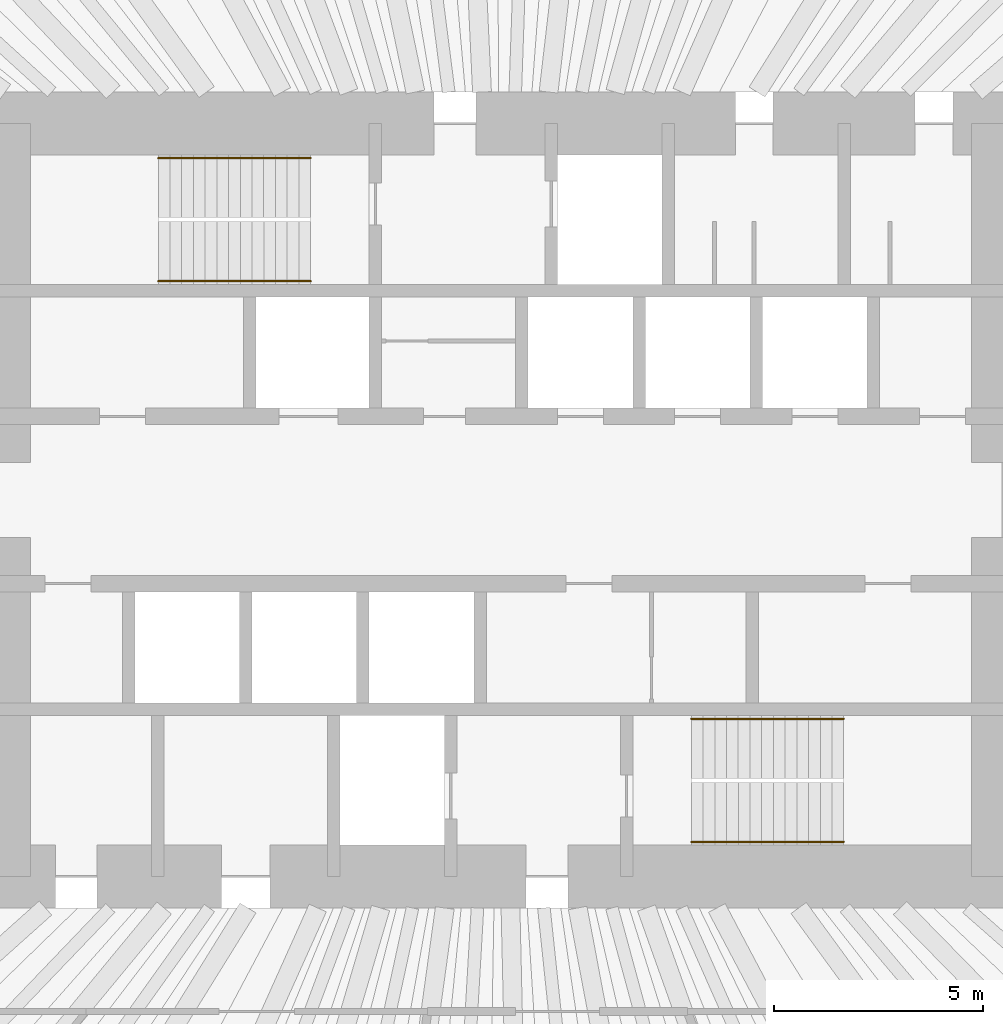
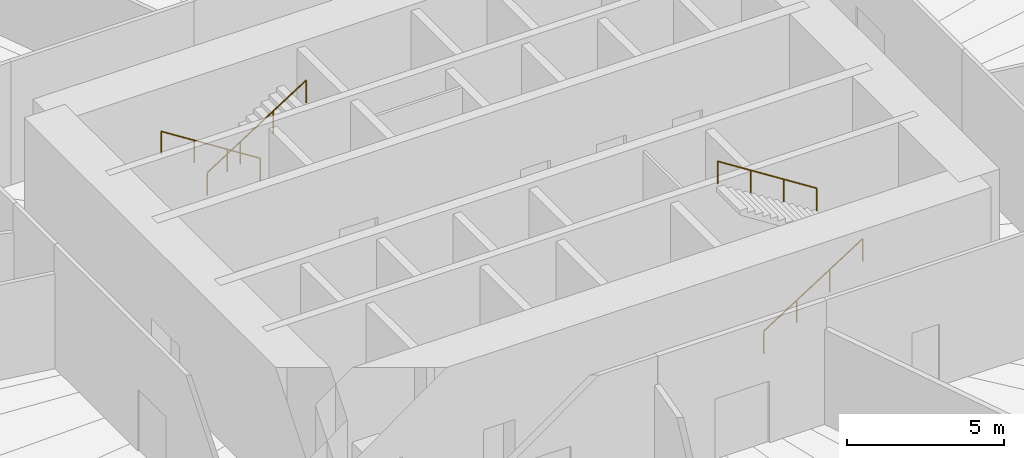
# One storey, part 13 of 13: 4 railings.
"""IFC4 building model written with IfcOpenShell, lengths in metres."""

from ifc_helpers import new_model, si_unit, direction, frame, origin, origin_2d, place, context, subcontext, project, spatial, circle, extrude, material, type_object, element, save


model = new_model("IFC4")

# Units and contexts
model_context = context("Model", 3, precision=1e-05, world=origin(), true_north=direction((0.0, 1.0)))
body_context = subcontext(model_context, "Body", "Model", "MODEL_VIEW")
ifc_project = project(units=[si_unit("LENGTHUNIT", "METRE"), si_unit("AREAUNIT", "SQUARE_METRE"), si_unit("VOLUMEUNIT", "CUBIC_METRE"), si_unit("PLANEANGLEUNIT", "RADIAN"), si_unit("MASSUNIT", "GRAM", prefix="KILO")], contexts=[model_context])

# Site, building, storey
site_placement = place(None, origin())
site = spatial("IfcSite", under=ifc_project, at=site_placement, CompositionType="ELEMENT")
building_placement = place(site_placement, origin())
building = spatial("IfcBuilding", under=site, at=building_placement, Name="Qingtian Harvest Tower", CompositionType="ELEMENT")
storey_placement = place(building_placement, frame((0.0, 0.0, 87.0)))
storey = spatial("IfcBuildingStorey", under=building, at=storey_placement, Name="L17", CompositionType="ELEMENT", Elevation=87.0)

# Railings
ifc_material = material(Name="Stainless steel handrail", Category="steel")
railing_type = type_object("IfcRailingType", Name="Handrail HR1", PredefinedType="HANDRAIL", material=ifc_material)
railing_1_placement = place(storey_placement, frame((-4.550048828125, 8.169921875, 0.178466796875)))
element("IfcRailing", 1, at=railing_1_placement, inside=storey, type_object=railing_type, Name="Handrail HR1 S1 flight 1", PredefinedType="HANDRAIL", context=body_context, shape_type="SweptSolid", body=[
    extrude(circle(Radius=0.02392578125, at=origin_2d()), frame((0.0, 0.0, 0.8759765625), z_axis=(-0.843111507901, 0.0, 0.53773877045), x_axis=(0.0, -1.0, 0.0)), (0.0, 0.0, 1.0), 4.317138671875),
    extrude(circle(Radius=0.02099609375, at=origin_2d()), origin(), (0.0, 0.0, 1.0), 0.851806640625),
    extrude(circle(Radius=0.02099609375, at=origin_2d()), frame((-1.21337890625, 0.0, 0.77392578125)), (0.0, 0.0, 1.0), 0.851806640625),
    extrude(circle(Radius=0.02099609375, at=origin_2d()), frame((-2.426513671875, 0.0, 1.547607421875)), (0.0, 0.0, 1.0), 0.851806640625),
    extrude(circle(Radius=0.02099609375, at=origin_2d()), frame((-3.639892578125, 0.0, 2.321533203125)), (0.0, 0.0, 1.0), 0.851806640625),
])
for number, where, name in (
    (2, (-8.18994140625, 5.22998046875, 2.678466796875), "Handrail HR1 S1 flight 2"),
    (3, (4.550048828125, -8.169921875, 0.178466796875), "Handrail HR1 S2 flight 1"),
):
    element("IfcRailing", number, at=place(storey_placement, frame(where)), inside=storey, type_object=railing_type, Name=name, PredefinedType="HANDRAIL", context=body_context, shape_type="SweptSolid", body=[
        extrude(circle(Radius=0.02392578125, at=origin_2d()), frame((0.0, 0.0, 0.8759765625), z_axis=(0.843111507901, 0.0, 0.53773877045), x_axis=(0.0, 1.0, 0.0)), (0.0, 0.0, 1.0), 4.317138671875),
        extrude(circle(Radius=0.02099609375, at=origin_2d()), origin(), (0.0, 0.0, 1.0), 0.851806640625),
        extrude(circle(Radius=0.02099609375, at=origin_2d()), frame((1.21337890625, 0.0, 0.77392578125)), (0.0, 0.0, 1.0), 0.851806640625),
        extrude(circle(Radius=0.02099609375, at=origin_2d()), frame((2.426513671875, 0.0, 1.547607421875)), (0.0, 0.0, 1.0), 0.851806640625),
        extrude(circle(Radius=0.02099609375, at=origin_2d()), frame((3.639892578125, 0.0, 2.321533203125)), (0.0, 0.0, 1.0), 0.851806640625),
    ])
railing_2_placement = place(storey_placement, frame((8.18994140625, -5.22998046875, 2.678466796875)))
element("IfcRailing", 4, at=railing_2_placement, inside=storey, type_object=railing_type, Name="Handrail HR1 S2 flight 2", PredefinedType="HANDRAIL", context=body_context, shape_type="SweptSolid", body=[
    extrude(circle(Radius=0.02392578125, at=origin_2d()), frame((0.0, 0.0, 0.8759765625), z_axis=(-0.843111507901, 0.0, 0.53773877045), x_axis=(0.0, -1.0, 0.0)), (0.0, 0.0, 1.0), 4.317138671875),
    extrude(circle(Radius=0.02099609375, at=origin_2d()), origin(), (0.0, 0.0, 1.0), 0.851806640625),
    extrude(circle(Radius=0.02099609375, at=origin_2d()), frame((-1.21337890625, 0.0, 0.77392578125)), (0.0, 0.0, 1.0), 0.851806640625),
    extrude(circle(Radius=0.02099609375, at=origin_2d()), frame((-2.426513671875, 0.0, 1.547607421875)), (0.0, 0.0, 1.0), 0.851806640625),
    extrude(circle(Radius=0.02099609375, at=origin_2d()), frame((-3.639892578125, 0.0, 2.321533203125)), (0.0, 0.0, 1.0), 0.851806640625),
])

save(model, "model.ifc")
